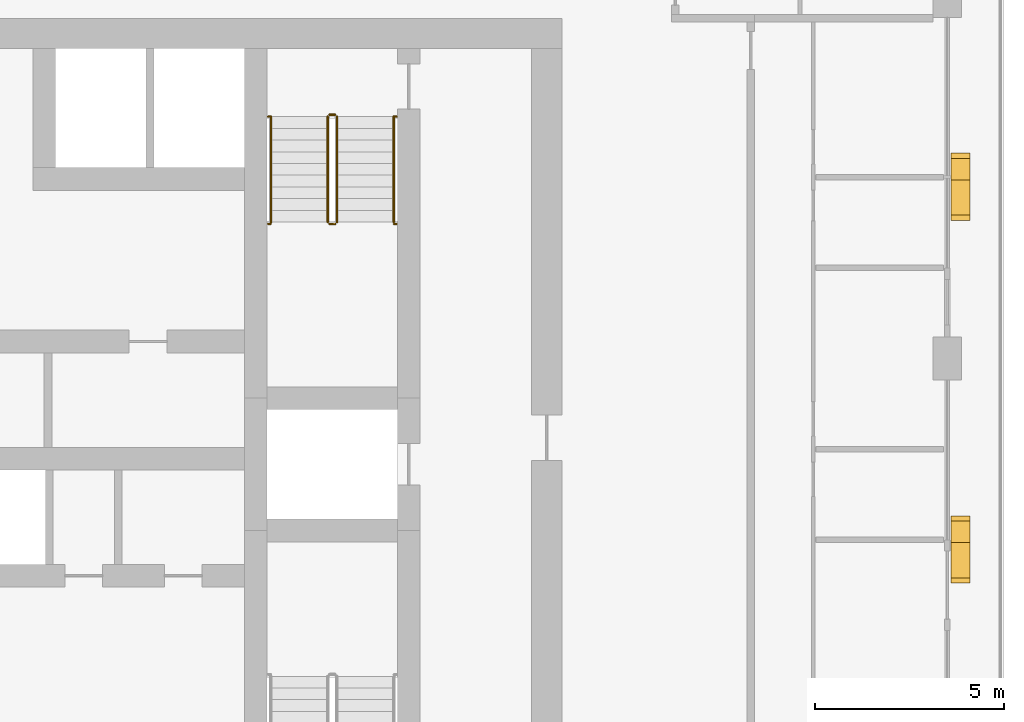
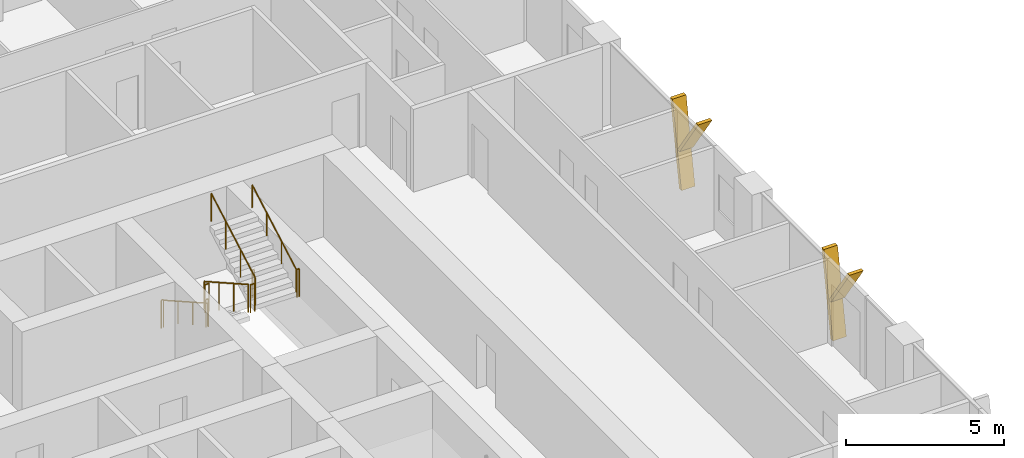
# One storey, part 22 of 23: 10 railings, 4 shading devices.
"""IFC4 building model written with IfcOpenShell, lengths in metres."""

from ifc_helpers import new_model, si_unit, direction, frame, origin, origin_2d, place, context, subcontext, project, spatial, polyline, circle, outline, extrude, material, type_object, element, save


model = new_model("IFC4")

# Units and contexts
model_context = context("Model", 3, precision=1e-05, world=origin(), true_north=direction((0.0, 1.0)))
body_context = subcontext(model_context, "Body", "Model", "MODEL_VIEW")
ifc_project = project(units=[si_unit("LENGTHUNIT", "METRE"), si_unit("AREAUNIT", "SQUARE_METRE"), si_unit("VOLUMEUNIT", "CUBIC_METRE"), si_unit("PLANEANGLEUNIT", "RADIAN"), si_unit("MASSUNIT", "GRAM", prefix="KILO")], contexts=[model_context])

# Site, building, storey
site_placement = place(None, origin())
site = spatial("IfcSite", under=ifc_project, at=site_placement, CompositionType="ELEMENT")
building_placement = place(site_placement, origin())
building = spatial("IfcBuilding", under=site, at=building_placement, Name="Madar Terraces", CompositionType="ELEMENT")
storey_placement = place(building_placement, frame((0.0, 0.0, 133.10009765625)))
storey = spatial("IfcBuildingStorey", under=building, at=storey_placement, Name="L34", CompositionType="ELEMENT", Elevation=133.10009765625)

# Shading devices
ifc_material_1 = material(Name="Aluminium, black anodised", Category="aluminium")
shading_device_type = type_object("IfcShadingDeviceType", Name="Facade fin blade 140 x 500", PredefinedType="USERDEFINED", material=ifc_material_1)
shading_device_1_placement = place(storey_placement, frame((57.949951171875, 23.929931640625, 0.0), z_axis=(0.0, 0.0, 1.0), x_axis=(0.0, 1.0, 0.0)))
element("IfcShadingDevice", 1, at=shading_device_1_placement, inside=storey, type_object=shading_device_type, Name="FIN L34 E2", ObjectType="FIN", PredefinedType="USERDEFINED", context=body_context, shape_type="SweptSolid", body=[
    extrude(outline(polyline([(0.0, 0.0), (0.14013671875, 0.0), (0.704345703125, 3.199951171875), (0.564208984375, 3.199951171875), (0.0, 0.0)])), frame((0.0, 0.25, 0.0), z_axis=(0.0, -1.0, 0.0), x_axis=(1.0, 0.0, 0.0)), (0.0, 0.0, 1.0), 0.5),
])
shading_device_2_placement = place(storey_placement, frame((57.949951171875, 24.0439453125, 1.43994140625), z_axis=(0.0, 0.0, 1.0), x_axis=(0.0, 1.0, 0.0)))
element("IfcShadingDevice", 2, at=shading_device_2_placement, inside=storey, type_object=shading_device_type, Name="FIN L34 E2 branch", ObjectType="FIN", PredefinedType="USERDEFINED", context=body_context, shape_type="SweptSolid", body=[
    extrude(outline(polyline([(0.0, 0.0), (0.139892578125, 0.0), (-1.049560546875, 1.760009765625), (-1.189697265625, 1.760009765625), (0.0, 0.0)])), frame((0.0, 0.25, 0.0), z_axis=(0.0, -1.0, 0.0), x_axis=(1.0, 0.0, 0.0)), (0.0, 0.0, 1.0), 0.5),
])
shading_device_3_placement = place(storey_placement, frame((57.949951171875, 33.530029296875, 0.0), z_axis=(0.0, 0.0, 1.0), x_axis=(0.0, 1.0, 0.0)))
element("IfcShadingDevice", 3, at=shading_device_3_placement, inside=storey, type_object=shading_device_type, Name="FIN L34 E3", ObjectType="FIN", PredefinedType="USERDEFINED", context=body_context, shape_type="SweptSolid", body=[
    extrude(outline(polyline([(0.0, 0.0), (0.139892578125, 0.0), (0.704345703125, 3.199951171875), (0.564208984375, 3.199951171875), (0.0, 0.0)])), frame((0.0, 0.25, 0.0), z_axis=(0.0, -1.0, 0.0), x_axis=(1.0, 0.0, 0.0)), (0.0, 0.0, 1.0), 0.5),
])
shading_device_4_placement = place(storey_placement, frame((57.949951171875, 33.643798828125, 1.43994140625), z_axis=(0.0, 0.0, 1.0), x_axis=(0.0, 1.0, 0.0)))
element("IfcShadingDevice", 4, at=shading_device_4_placement, inside=storey, type_object=shading_device_type, Name="FIN L34 E3 branch", ObjectType="FIN", PredefinedType="USERDEFINED", context=body_context, shape_type="SweptSolid", body=[
    extrude(outline(polyline([(0.0, 0.0), (0.14013671875, 0.0), (-1.049560546875, 1.760009765625), (-1.189697265625, 1.760009765625), (0.0, 0.0)])), frame((0.0, 0.25, 0.0), z_axis=(0.0, -1.0, 0.0), x_axis=(1.0, 0.0, 0.0)), (0.0, 0.0, 1.0), 0.5),
])

# Railings
ifc_material_2 = material(Name="Stainless steel railing", Category="steel")
railing_type_1 = type_object("IfcRailingType", Name="Stair guard 1100", PredefinedType="GUARDRAIL", material=ifc_material_2)
railing_1_placement = place(storey_placement, frame((41.199951171875, 35.199951171875, 0.1748046875)))
element("IfcRailing", 5, at=railing_1_placement, inside=storey, type_object=railing_type_1, Name="L34 ST2 stair guard 1", PredefinedType="GUARDRAIL", context=body_context, shape_type="SweptSolid", body=[
    extrude(circle(Radius=0.02392578125, at=origin_2d()), frame((0.0, 0.0, 1.076171875), z_axis=(0.0, -0.870801158333, 0.491635375706), x_axis=(1.0, 0.0, 0.0)), (0.0, 0.0, 1.0), 3.2041015625),
    extrude(circle(Radius=0.02099609375, at=origin_2d()), origin(), (0.0, 0.0, 1.0), 1.052001953125),
    extrude(circle(Radius=0.02099609375, at=origin_2d()), frame((0.0, -0.929931640625, 0.525146484375)), (0.0, 0.0, 1.0), 1.052001953125),
    extrude(circle(Radius=0.02099609375, at=origin_2d()), frame((0.0, -1.860107421875, 1.050048828125)), (0.0, 0.0, 1.0), 1.052001953125),
    extrude(circle(Radius=0.02099609375, at=origin_2d()), frame((0.0, -2.7900390625, 1.5751953125)), (0.0, 0.0, 1.0), 1.052001953125),
])
railing_2_placement = place(storey_placement, frame((41.25, 32.360107421875, 1.75)))
element("IfcRailing", 6, at=railing_2_placement, inside=storey, type_object=railing_type_1, Name="L34 ST2 stair guard 2", PredefinedType="GUARDRAIL", context=body_context, shape_type="SweptSolid", body=[
    extrude(circle(Radius=0.02392578125, at=origin_2d()), frame((0.0, 0.0, 1.076171875), z_axis=(1.0, 0.0, 0.0), x_axis=(0.0, 1.0, 0.0)), (0.0, 0.0, 1.0), 0.14990234375),
    extrude(circle(Radius=0.02099609375, at=origin_2d()), origin(), (0.0, 0.0, 1.0), 1.052001953125),
    extrude(circle(Radius=0.02099609375, at=origin_2d()), frame((0.14990234375, 0.0, 0.0)), (0.0, 0.0, 1.0), 1.052001953125),
])
railing_3_placement = place(storey_placement, frame((41.449951171875, 32.409912109375, 1.9248046875)))
element("IfcRailing", 7, at=railing_3_placement, inside=storey, type_object=railing_type_1, Name="L34 ST2 stair guard 3", PredefinedType="GUARDRAIL", context=body_context, shape_type="SweptSolid", body=[
    extrude(circle(Radius=0.02392578125, at=origin_2d()), frame((0.0, 0.0, 1.076171875), z_axis=(0.0, 0.870801158333, 0.491635375706), x_axis=(-1.0, 0.0, 0.0)), (0.0, 0.0, 1.0), 3.2041015625),
    extrude(circle(Radius=0.02099609375, at=origin_2d()), origin(), (0.0, 0.0, 1.0), 1.052001953125),
    extrude(circle(Radius=0.02099609375, at=origin_2d()), frame((0.0, 0.929931640625, 0.525146484375)), (0.0, 0.0, 1.0), 1.052001953125),
    extrude(circle(Radius=0.02099609375, at=origin_2d()), frame((0.0, 1.860107421875, 1.050048828125)), (0.0, 0.0, 1.0), 1.052001953125),
    extrude(circle(Radius=0.02099609375, at=origin_2d()), frame((0.0, 2.7900390625, 1.5751953125)), (0.0, 0.0, 1.0), 1.052001953125),
])
railing_4_placement = place(storey_placement, frame((41.25, 35.25, 0.0)))
element("IfcRailing", 8, at=railing_4_placement, inside=storey, type_object=railing_type_1, Name="L34 ST2 stair guard 4", PredefinedType="GUARDRAIL", context=body_context, shape_type="SweptSolid", body=[
    extrude(circle(Radius=0.02392578125, at=origin_2d()), frame((0.0, 0.0, 1.076171875), z_axis=(1.0, 0.0, 0.0), x_axis=(0.0, 1.0, 0.0)), (0.0, 0.0, 1.0), 0.14990234375),
    extrude(circle(Radius=0.02099609375, at=origin_2d()), origin(), (0.0, 0.0, 1.0), 1.052001953125),
    extrude(circle(Radius=0.02099609375, at=origin_2d()), frame((0.14990234375, 0.0, 0.0)), (0.0, 0.0, 1.0), 1.052001953125),
])
railing_5_placement = place(storey_placement, frame((39.6201171875, 32.360107421875, 1.75)))
element("IfcRailing", 9, at=railing_5_placement, inside=storey, type_object=railing_type_1, Name="L34 stair guard seat 1", PredefinedType="GUARDRAIL", context=body_context, shape_type="SweptSolid", body=[
    extrude(circle(Radius=0.02392578125, at=origin_2d()), frame((0.0, 0.0, 1.076171875), z_axis=(1.0, 0.0, 0.0), x_axis=(0.0, 1.0, 0.0)), (0.0, 0.0, 1.0), 0.079833984375),
    extrude(circle(Radius=0.02099609375, at=origin_2d()), origin(), (0.0, 0.0, 1.0), 1.052001953125),
    extrude(circle(Radius=0.02099609375, at=origin_2d()), frame((0.079833984375, 0.0, 0.0)), (0.0, 0.0, 1.0), 1.052001953125),
])
railing_6_placement = place(storey_placement, frame((42.949951171875, 32.360107421875, 1.75)))
element("IfcRailing", 10, at=railing_6_placement, inside=storey, type_object=railing_type_1, Name="L34 stair guard seat 2", PredefinedType="GUARDRAIL", context=body_context, shape_type="SweptSolid", body=[
    extrude(circle(Radius=0.02392578125, at=origin_2d()), frame((0.0, 0.0, 1.076171875), z_axis=(1.0, 0.0, 0.0), x_axis=(0.0, 1.0, 0.0)), (0.0, 0.0, 1.0), 0.080078125),
    extrude(circle(Radius=0.02099609375, at=origin_2d()), origin(), (0.0, 0.0, 1.0), 1.052001953125),
    extrude(circle(Radius=0.02099609375, at=origin_2d()), frame((0.080078125, 0.0, 0.0)), (0.0, 0.0, 1.0), 1.052001953125),
])
railing_7_placement = place(storey_placement, frame((39.6201171875, 35.199951171875, 0.0)))
element("IfcRailing", 11, at=railing_7_placement, inside=storey, type_object=railing_type_1, Name="L34 stair guard floor 1", PredefinedType="GUARDRAIL", context=body_context, shape_type="SweptSolid", body=[
    extrude(circle(Radius=0.02392578125, at=origin_2d()), frame((0.0, 0.0, 1.076171875), z_axis=(1.0, 0.0, 0.0), x_axis=(0.0, 1.0, 0.0)), (0.0, 0.0, 1.0), 0.079833984375),
    extrude(circle(Radius=0.02099609375, at=origin_2d()), origin(), (0.0, 0.0, 1.0), 1.052001953125),
    extrude(circle(Radius=0.02099609375, at=origin_2d()), frame((0.079833984375, 0.0, 0.0)), (0.0, 0.0, 1.0), 1.052001953125),
])
railing_8_placement = place(storey_placement, frame((42.949951171875, 35.199951171875, 0.0)))
element("IfcRailing", 12, at=railing_8_placement, inside=storey, type_object=railing_type_1, Name="L34 stair guard floor 2", PredefinedType="GUARDRAIL", context=body_context, shape_type="SweptSolid", body=[
    extrude(circle(Radius=0.02392578125, at=origin_2d()), frame((0.0, 0.0, 1.076171875), z_axis=(1.0, 0.0, 0.0), x_axis=(0.0, 1.0, 0.0)), (0.0, 0.0, 1.0), 0.080078125),
    extrude(circle(Radius=0.02099609375, at=origin_2d()), origin(), (0.0, 0.0, 1.0), 1.052001953125),
    extrude(circle(Radius=0.02099609375, at=origin_2d()), frame((0.080078125, 0.0, 0.0)), (0.0, 0.0, 1.0), 1.052001953125),
])
ifc_material_3 = material(Name="Stainless steel railing", Category="steel")
railing_type_2 = type_object("IfcRailingType", Name="Stair handrail 900", PredefinedType="HANDRAIL", material=ifc_material_3)
railing_9_placement = place(storey_placement, frame((39.699951171875, 35.199951171875, 0.1748046875)))
element("IfcRailing", 13, at=railing_9_placement, inside=storey, type_object=railing_type_2, Name="L34 ST2 stair handrail 1", PredefinedType="HANDRAIL", context=body_context, shape_type="SweptSolid", body=[
    extrude(circle(Radius=0.02392578125, at=origin_2d()), frame((0.0, 0.0, 0.8759765625), z_axis=(0.0, -0.870801158333, 0.491635375706), x_axis=(1.0, 0.0, 0.0)), (0.0, 0.0, 1.0), 3.2041015625),
    extrude(circle(Radius=0.02099609375, at=origin_2d()), origin(), (0.0, 0.0, 1.0), 0.851806640625),
    extrude(circle(Radius=0.02099609375, at=origin_2d()), frame((0.0, -0.929931640625, 0.525146484375)), (0.0, 0.0, 1.0), 0.851806640625),
    extrude(circle(Radius=0.02099609375, at=origin_2d()), frame((0.0, -1.860107421875, 1.050048828125)), (0.0, 0.0, 1.0), 0.851806640625),
    extrude(circle(Radius=0.02099609375, at=origin_2d()), frame((0.0, -2.7900390625, 1.5751953125)), (0.0, 0.0, 1.0), 0.851806640625),
])
railing_10_placement = place(storey_placement, frame((42.949951171875, 32.409912109375, 1.9248046875)))
element("IfcRailing", 14, at=railing_10_placement, inside=storey, type_object=railing_type_2, Name="L34 ST2 stair handrail 2", PredefinedType="HANDRAIL", context=body_context, shape_type="SweptSolid", body=[
    extrude(circle(Radius=0.02392578125, at=origin_2d()), frame((0.0, 0.0, 0.8759765625), z_axis=(0.0, 0.870801158333, 0.491635375706), x_axis=(-1.0, 0.0, 0.0)), (0.0, 0.0, 1.0), 3.2041015625),
    extrude(circle(Radius=0.02099609375, at=origin_2d()), origin(), (0.0, 0.0, 1.0), 0.851806640625),
    extrude(circle(Radius=0.02099609375, at=origin_2d()), frame((0.0, 0.929931640625, 0.525146484375)), (0.0, 0.0, 1.0), 0.851806640625),
    extrude(circle(Radius=0.02099609375, at=origin_2d()), frame((0.0, 1.860107421875, 1.050048828125)), (0.0, 0.0, 1.0), 0.851806640625),
    extrude(circle(Radius=0.02099609375, at=origin_2d()), frame((0.0, 2.7900390625, 1.5751953125)), (0.0, 0.0, 1.0), 0.851806640625),
])

save(model, "model.ifc")
